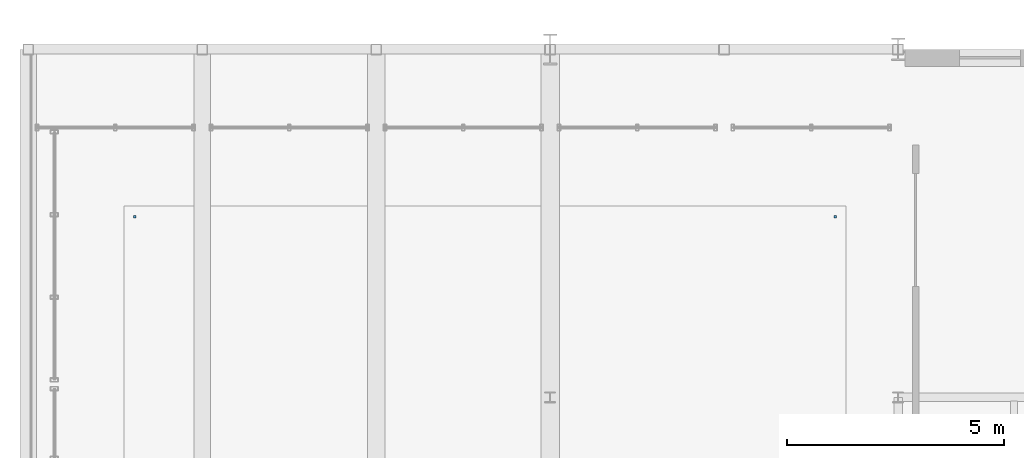
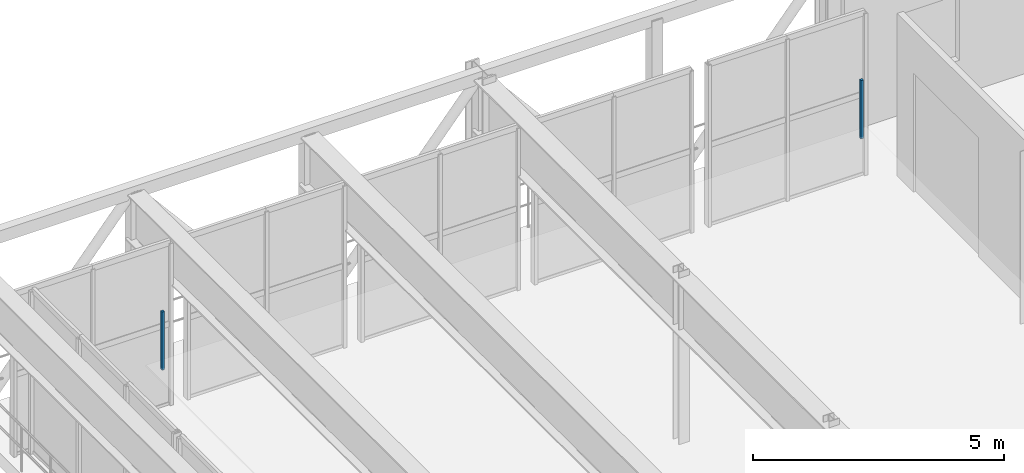
# One storey, part 92 of 124: 2 discrete accessories.
"""IFC4 building model written with IfcOpenShell, lengths in metres."""

from ifc_helpers import new_model, si_unit, direction, frame, origin, origin_2d, place, context, subcontext, project, spatial, rectangle, extrude, material, type_object, element, save


model = new_model("IFC4")

# Units and contexts
model_context = context("Model", 3, precision=1e-05, world=origin(), true_north=direction((0.0, 1.0)))
body_context = subcontext(model_context, "Body", "Model", "MODEL_VIEW")
ifc_project = project(units=[si_unit("LENGTHUNIT", "METRE"), si_unit("AREAUNIT", "SQUARE_METRE"), si_unit("VOLUMEUNIT", "CUBIC_METRE"), si_unit("PLANEANGLEUNIT", "RADIAN"), si_unit("MASSUNIT", "GRAM", prefix="KILO")], contexts=[model_context])

# Site, building, storey
site_placement = place(None, origin())
site = spatial("IfcSite", under=ifc_project, at=site_placement, CompositionType="ELEMENT")
building_placement = place(site_placement, origin())
building = spatial("IfcBuilding", under=site, at=building_placement, Name="Sundkrona Museum", CompositionType="ELEMENT")
storey_placement = place(building_placement, frame((0.0, 0.0, 17.60009765625)))
storey = spatial("IfcBuildingStorey", under=building, at=storey_placement, Name="L03", CompositionType="ELEMENT", Elevation=17.60009765625)

# Discrete accessories
ifc_material = material(Name="Stainless Steel EN 1.4404 Cleat", Category="steel")
discrete_accessory_type = type_object("IfcDiscreteAccessoryType", Name="BRK-FIN-01", PredefinedType="BRACKET", material=ifc_material)
for number, where, z_axis, x_axis, name in (
    (1, (22.550048828125, 50.14990234375, 2.550048828125), (0.0, 0.0, 1.0), (1.0, 0.0, 0.0), "L03 Marine Biology Gallery Ceiling Hanger 3"),
    (2, (6.449951171875, 50.14990234375, 2.550048828125), (0.0, 0.0, 1.0), (1.0, 0.0, 0.0), "L03 Marine Biology Gallery Ceiling Hanger 4"),
):
    element("IfcDiscreteAccessory", number, at=place(storey_placement, frame(where, z_axis=z_axis, x_axis=x_axis)), inside=storey, type_object=discrete_accessory_type, Name=name, PredefinedType="BRACKET", context=body_context, shape_type="SweptSolid", body=[
        extrude(rectangle(XDim=0.06005859375, YDim=0.06005859375, at=origin_2d()), origin(), (0.0, 0.0, 1.0), 1.419921875),
    ])

save(model, "model.ifc")
